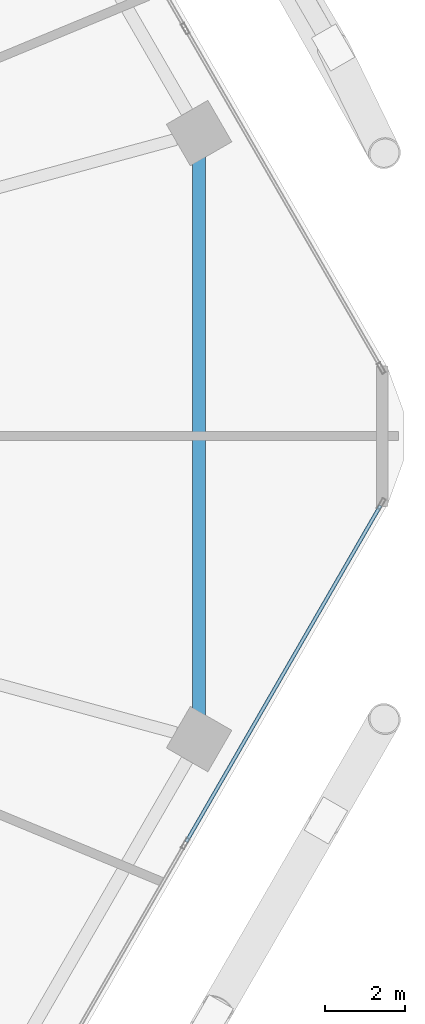
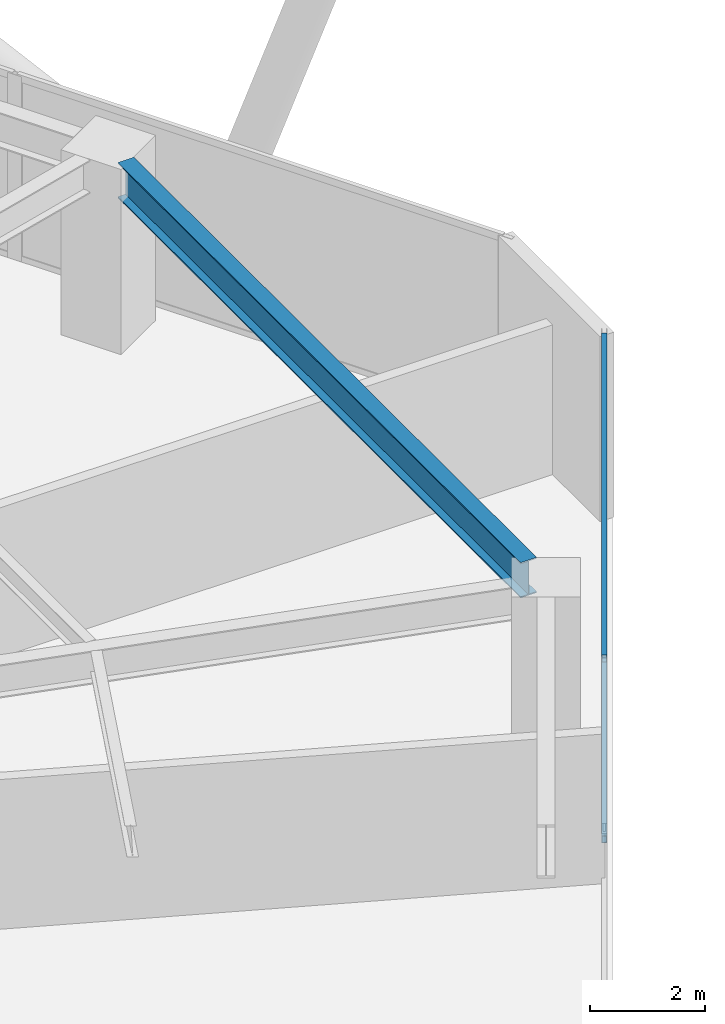
# One storey, part 12 of 28: 2 members, 1 beam, 1 element without a shape of its own.
"""IFC4 building model written with IfcOpenShell, lengths in metres."""

import ifcopenshell
import ifcopenshell.guid

model = None  # the IFC model being written
_history = None  # IfcOwnerHistory: only IFC2X3 demands one
_inside = {}  # id of a spatial element -> (the spatial element, [elements in it])
_under = {}  # id of a project, library or spatial element -> (it, [spatial elements below it])
_declared = {}  # id of a project -> (the project, [libraries it declares])
_typed = {}  # id of a type object -> (the type object, [elements of that type])
_made_of = {}  # id of a material, layer set ... -> (it, [elements and type objects made of it])


def new_model(schema):
    """Start an empty IFC model of exactly this schema.

    Asked for "IFC4X3", IfcOpenShell would pick the latest addendum, in which some entities
    have other attributes; the version numbers below select the first issue.
    IFC2X3 requires an IfcOwnerHistory on every rooted entity: one is made here for all.
    """
    global model, _history
    if schema == "IFC4X3":
        model = ifcopenshell.file(schema_version=(4, 3, 0, 0))
    else:
        model = ifcopenshell.file(schema=schema)
    _inside.clear()
    _under.clear()
    _declared.clear()
    _typed.clear()
    _made_of.clear()
    _history = None
    if model.schema == "IFC2X3":
        org = make("IfcOrganization", Name="unknown")
        user = make(
            "IfcPersonAndOrganization",
            ThePerson=make("IfcPerson", FamilyName="unknown"),
            TheOrganization=org,
        )
        app = make(
            "IfcApplication",
            ApplicationDeveloper=org,
            Version="unknown",
            ApplicationFullName="unknown",
            ApplicationIdentifier="unknown",
        )
        _history = make(
            "IfcOwnerHistory",
            OwningUser=user,
            OwningApplication=app,
            ChangeAction="ADDED",
            CreationDate=0,
        )
    return model


def make(cls, **values):
    """One entity of the class cls with the attributes given. An attribute that is None is left unset."""
    return model.create_entity(
        cls, **{name: value for name, value in values.items() if value is not None}
    )


def rooted(cls, **values):
    """An entity with a GlobalId (a new one), such as an element, a storey or a relation."""
    return make(cls, GlobalId=ifcopenshell.guid.new(), OwnerHistory=_history, **values)


def si_unit(unit_type, name, prefix=None):
    """IfcSIUnit, for example si_unit("LENGTHUNIT", "METRE", prefix="MILLI")."""
    return make("IfcSIUnit", UnitType=unit_type, Prefix=prefix, Name=name)


def assignment(units):
    """IfcUnitAssignment: the units of a project."""
    return None if units is None else make("IfcUnitAssignment", Units=units)


def point(xyz):
    """IfcCartesianPoint."""
    return None if xyz is None else make("IfcCartesianPoint", Coordinates=xyz)


def direction(xyz):
    """IfcDirection."""
    return None if xyz is None else make("IfcDirection", DirectionRatios=xyz)


def frame(location, z_axis=None, x_axis=None):
    """IfcAxis2Placement3D, a coordinate frame: its origin and axes. An axis left out is left unset."""
    return make(
        "IfcAxis2Placement3D",
        Location=point(location),
        Axis=direction(z_axis),
        RefDirection=direction(x_axis),
    )


def frame_2d(location, x_axis=None):
    """IfcAxis2Placement2D, a coordinate frame in the plane: its origin and x axis."""
    return make(
        "IfcAxis2Placement2D", Location=point(location), RefDirection=direction(x_axis)
    )


def origin():
    """The frame at (0, 0, 0) with its axes left unset."""
    return frame((0.0, 0.0, 0.0))


def origin_2d():
    """The frame at (0, 0) in the plane with its x axis left unset."""
    return frame_2d((0.0, 0.0))


def place(relative_to, where):
    """IfcLocalPlacement: puts the frame where relative to a parent placement (None: the world)."""
    return make(
        "IfcLocalPlacement", PlacementRelTo=relative_to, RelativePlacement=where
    )


def context(
    kind, dimensions, precision=None, world=None, true_north=None, identifier=None
):
    """IfcGeometricRepresentationContext, for example the 3D "Model" context."""
    return make(
        "IfcGeometricRepresentationContext",
        ContextIdentifier=identifier,
        ContextType=kind,
        CoordinateSpaceDimension=dimensions,
        Precision=precision,
        WorldCoordinateSystem=world,
        TrueNorth=true_north,
    )


def subcontext(parent, identifier, kind, view, scale=None):
    """IfcGeometricRepresentationSubContext, for example "Body" below "Model"."""
    return make(
        "IfcGeometricRepresentationSubContext",
        ContextIdentifier=identifier,
        ContextType=kind,
        ParentContext=parent,
        TargetScale=scale,
        TargetView=view,
    )


def project(units=None, contexts=None):
    """IfcProject with its units and contexts."""
    return rooted(
        "IfcProject",
        Name="project",
        RepresentationContexts=contexts,
        UnitsInContext=assignment(units),
    )


def spatial(cls, under=None, at=None, **own):
    """A site, building, storey or space (cls), placed at a placement, below another one or the project."""
    s = rooted(cls, ObjectPlacement=at, **own)
    if under is not None:
        _under.setdefault(under.id(), (under, []))[1].append(s)
    return s


def profile(cls, at=None, kind="AREA", **sizes):
    """A parametric profile (cls). Its sizes go by their IFC names, for example OverallWidth=200.0."""
    return make(cls, ProfileType=kind, Position=at, **sizes)


def hollow_rectangle(**sizes):
    """IfcRectangleHollowProfileDef."""
    return profile("IfcRectangleHollowProfileDef", **sizes)


def i_section(**sizes):
    """IfcIShapeProfileDef."""
    return profile("IfcIShapeProfileDef", **sizes)


def extrude(swept, where, along, depth):
    """IfcExtrudedAreaSolid: the profile swept, set in the frame where, extruded along a direction by depth."""
    return make(
        "IfcExtrudedAreaSolid",
        SweptArea=swept,
        Position=where,
        ExtrudedDirection=direction(along),
        Depth=depth,
    )


def shape(context_of_items, identifier, shape_type, items):
    """IfcShapeRepresentation: the items that make up one representation, for example the "Body"."""
    return make(
        "IfcShapeRepresentation",
        ContextOfItems=context_of_items,
        RepresentationIdentifier=identifier,
        RepresentationType=shape_type,
        Items=items,
    )


def material(Name=None, Category=None):
    """IfcMaterial."""
    return make("IfcMaterial", Name=Name, Category=Category)


def material_profile(
    of_material, cross_section, Name=None, Category=None, Priority=None
):
    """IfcMaterialProfile: a cross section and its material."""
    return make(
        "IfcMaterialProfile",
        Name=Name,
        Material=of_material,
        Profile=cross_section,
        Priority=Priority,
        Category=Category,
    )


def profile_set(profiles, Name=None, composite=None):
    """IfcMaterialProfileSet."""
    return make(
        "IfcMaterialProfileSet",
        Name=Name,
        MaterialProfiles=profiles,
        CompositeProfile=composite,
    )


def made_of(thing, what):
    """Note that an element or type object is made of a material, layer set ...; save() writes the relation."""
    if what is not None:
        _made_of.setdefault(what.id(), (what, []))[1].append(thing)
    return thing


def type_object(cls, material=None, **own):
    """A type object (cls), such as IfcWallType, which elements share."""
    return made_of(rooted(cls, **own), material)


def element(
    cls,
    number,
    at=None,
    inside=None,
    cuts=None,
    type_object=None,
    material=None,
    context=None,
    identifier="Body",
    shape_type=None,
    held_by="IfcProductDefinitionShape",
    body=None,
    shapes=None,
    **own,
):
    """One element of the class cls, such as IfcWall. Its Tag is "e" and its number.

    at: its placement. inside: the storey or other place that contains it. cuts: it is an
    opening in that element (IfcRelVoidsElement). A single representation is given by context,
    identifier, shape_type and body (its items); several are given by shapes. held_by: the class
    of the entity that holds the representations. save() writes the other relations.
    """
    e = rooted(cls, Tag="e%d" % number, ObjectPlacement=at, **own)
    if body is not None:
        shapes = [shape(context, identifier, shape_type, body)]
    if shapes is not None:
        e.Representation = make(held_by, Representations=shapes)
    if inside is not None:
        _inside.setdefault(inside.id(), (inside, []))[1].append(e)
    if cuts is not None:
        rooted(
            "IfcRelVoidsElement", RelatingBuildingElement=cuts, RelatedOpeningElement=e
        )
    if type_object is not None:
        _typed.setdefault(type_object.id(), (type_object, []))[1].append(e)
    return made_of(e, material)


def aggregate(whole, parts):
    """IfcRelAggregates: a whole, such as a stair, and the parts it consists of."""
    return rooted("IfcRelAggregates", RelatingObject=whole, RelatedObjects=parts)


def save(model, path):
    """Write the relations noted so far, then the file.

    IfcRelAggregates (storeys below a building ...), IfcRelContainedInSpatialStructure (elements
    in a storey), IfcRelDefinesByType, IfcRelAssociatesMaterial and IfcRelDeclares: one each for
    every whole, place, type object, material and project.
    """
    for whole, parts in _under.values():
        aggregate(whole, parts)
    for where, things in _inside.values():
        rooted(
            "IfcRelContainedInSpatialStructure",
            RelatedElements=things,
            RelatingStructure=where,
        )
    for kind, things in _typed.values():
        rooted("IfcRelDefinesByType", RelatedObjects=things, RelatingType=kind)
    for what, things in _made_of.values():
        rooted("IfcRelAssociatesMaterial", RelatedObjects=things, RelatingMaterial=what)
    for by, libraries in _declared.values():
        rooted("IfcRelDeclares", RelatingContext=by, RelatedDefinitions=libraries)
    model.write(path)


model = new_model("IFC4")

# Units and contexts
model_context = context("Model", 3, precision=1e-05, world=origin(), true_north=direction((0.0, 1.0)))
body_context = subcontext(model_context, "Body", "Model", "MODEL_VIEW")
ifc_project = project(units=[si_unit("LENGTHUNIT", "METRE"), si_unit("AREAUNIT", "SQUARE_METRE"), si_unit("VOLUMEUNIT", "CUBIC_METRE"), si_unit("PLANEANGLEUNIT", "RADIAN"), si_unit("MASSUNIT", "GRAM", prefix="KILO")], contexts=[model_context])

# Site, building, storey
site_placement = place(None, origin())
site = spatial("IfcSite", under=ifc_project, at=site_placement, CompositionType="ELEMENT")
building_placement = place(site_placement, origin())
building = spatial("IfcBuilding", under=site, at=building_placement, Name="Zuhravey Tower", CompositionType="ELEMENT")
storey_placement = place(building_placement, frame((0.0, 0.0, 66.60009765625)))
storey = spatial("IfcBuildingStorey", under=building, at=storey_placement, Name="L16", CompositionType="ELEMENT", Elevation=66.60009765625)

# Curtain wall, members
ifc_material_1 = material(Name="Thermally broken anodised aluminium", Category="aluminium")
curtain_wall_type = type_object("IfcCurtainWallType", Name="School Low-E Unitised Curtain Wall CW1", PredefinedType="NOTDEFINED", material=ifc_material_1)
curtain_wall_placement = place(storey_placement, origin())
curtain_wall = element("IfcCurtainWall", 1, at=curtain_wall_placement, inside=storey, type_object=curtain_wall_type, Name="L16 CW1 CW-L16-F6-1", PredefinedType="NOTDEFINED")
ifc_material_2 = material(Name="Anodised aluminium", Category="aluminium")
ifc_material_profile_1 = material_profile(ifc_material_2, hollow_rectangle(XDim=0.090087890625, YDim=0.14990234375, WallThickness=0.0048828125, at=origin_2d()), Name="ALU-RHS-90x150x5")
ifc_profile_set_1 = profile_set([ifc_material_profile_1], Name="Anodised aluminium")
member_type = type_object("IfcMemberType", Name="Curtain-Wall Transom 90x150", PredefinedType="USERDEFINED", material=ifc_profile_set_1)
member_1_placement = place(storey_placement, frame((68.43359375, 30.259521484375, 0.044921875), z_axis=(-0.500008393077, -0.866020557985, 0.0), x_axis=(0.866020557985, -0.500008393077, 0.0)))
member_1 = element("IfcMember", 2, at=member_1_placement, type_object=member_type, Name="CW1 transom 1.1", ObjectType="TRANSOM", PredefinedType="USERDEFINED", context=body_context, shape_type="SweptSolid", body=[
    extrude(hollow_rectangle(XDim=0.090087890625, YDim=0.14990234375, WallThickness=0.0048828125, at=origin_2d()), origin(), (0.0, 0.0, 1.0), 9.731201171875),
])
member_2_placement = place(storey_placement, frame((68.43359375, 30.259521484375, 3.875), z_axis=(-0.500008393077, -0.866020557985, 0.0), x_axis=(0.866020557985, -0.500008393077, 0.0)))
member_2 = element("IfcMember", 3, at=member_2_placement, type_object=member_type, Name="CW1 transom 1.2", ObjectType="TRANSOM", PredefinedType="USERDEFINED", context=body_context, shape_type="SweptSolid", body=[
    extrude(hollow_rectangle(XDim=0.090087890625, YDim=0.14990234375, WallThickness=0.0048828125, at=origin_2d()), origin(), (0.0, 0.0, 1.0), 9.731201171875),
])
aggregate(curtain_wall, [member_1, member_2])

# Beam
ifc_material_3 = material(Name="Steel SM355", Category="steel")
ifc_material_profile_2 = material_profile(ifc_material_3, i_section(OverallWidth=0.320068359375, OverallDepth=0.75, WebThickness=0.013916015625, FlangeThickness=0.02490234375, at=origin_2d()), Name="H-750x320x14x25")
ifc_profile_set_2 = profile_set([ifc_material_profile_2], Name="Steel SM355")
beam_type = type_object("IfcBeamType", Name="Perimeter Ring Beam H750x320", PredefinedType="BEAM", material=ifc_profile_set_2)
beam_placement = place(storey_placement, frame((63.88916015625, 25.011474609375, 3.544921875), z_axis=(0.0, 1.0, 0.0), x_axis=(-1.0, 0.0, 0.0)))
element("IfcBeam", 4, at=beam_placement, inside=storey, type_object=beam_type, Name="L16 PB1 BM-L16-PB-12", PredefinedType="BEAM", context=body_context, shape_type="SweptSolid", body=[
    extrude(i_section(OverallWidth=0.320068359375, OverallDepth=0.75, WebThickness=0.013916015625, FlangeThickness=0.02490234375, at=origin_2d()), origin(), (0.0, 0.0, 1.0), 13.97705078125),
])

save(model, "model.ifc")
